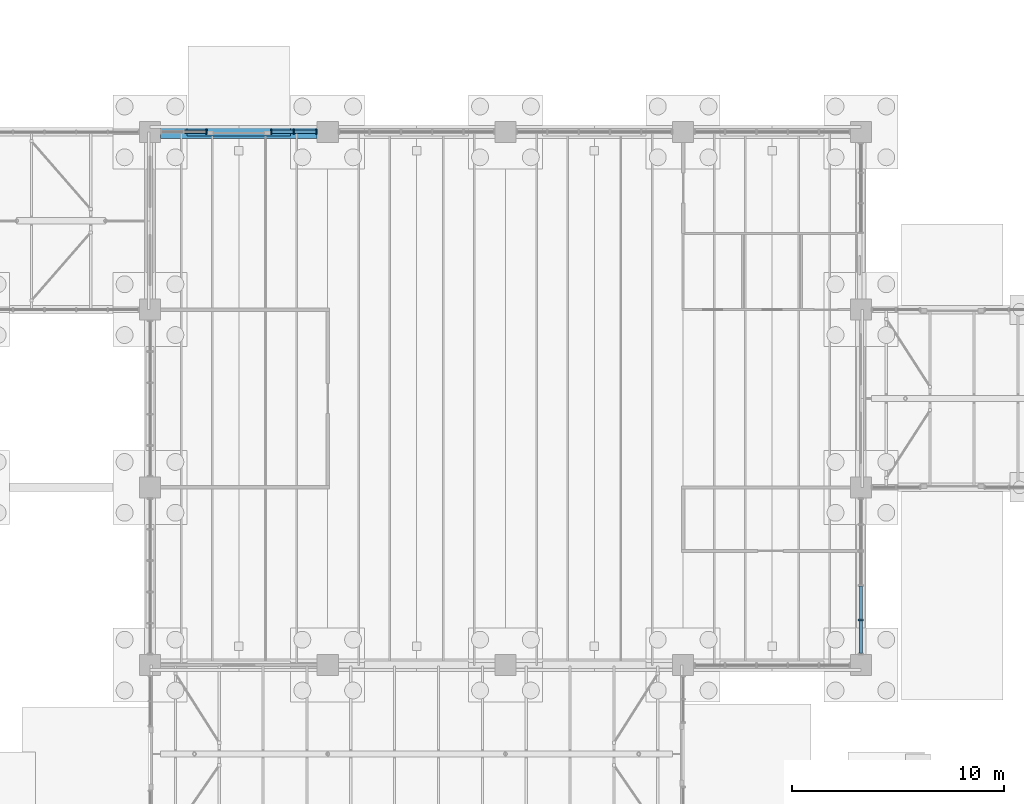
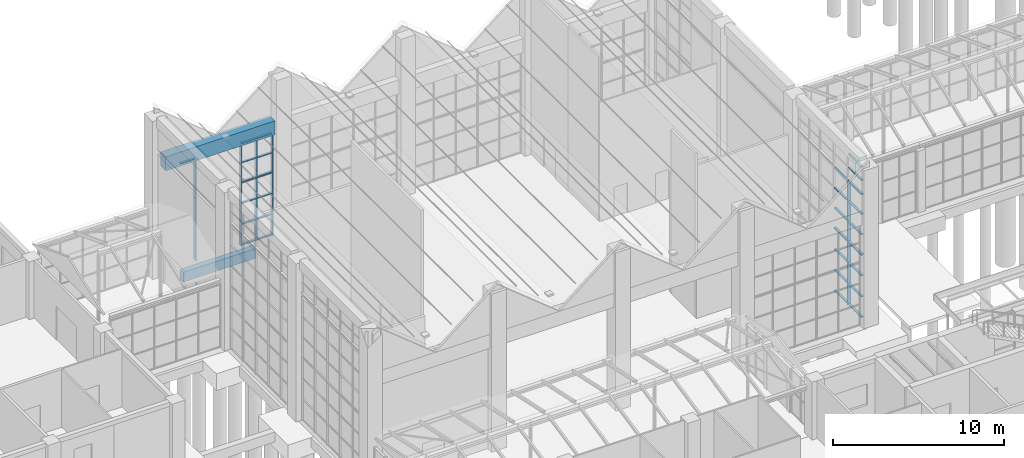
# One storey, part 53 of 138: 44 members, 2 beams, 7 elements without a shape of their own.
"""IFC4 building model written with IfcOpenShell, lengths in metres."""

from ifc_helpers import new_model, si_unit, direction, frame, origin, origin_2d, place, context, subcontext, project, spatial, rectangle, extrude, material, material_profile, profile_set, type_object, element, aggregate, save


model = new_model("IFC4")

# Units and contexts
model_context = context("Model", 3, precision=1e-05, world=origin(), true_north=direction((0.0, 1.0)))
body_context = subcontext(model_context, "Body", "Model", "MODEL_VIEW")
ifc_project = project(units=[si_unit("LENGTHUNIT", "METRE"), si_unit("AREAUNIT", "SQUARE_METRE"), si_unit("VOLUMEUNIT", "CUBIC_METRE"), si_unit("PLANEANGLEUNIT", "RADIAN"), si_unit("MASSUNIT", "GRAM", prefix="KILO")], contexts=[model_context])

# Site, building, storey
site_placement = place(None, origin())
site = spatial("IfcSite", under=ifc_project, at=site_placement, CompositionType="ELEMENT")
building_placement = place(site_placement, origin())
building = spatial("IfcBuilding", under=site, at=building_placement, Name="Yavir Park General Hospital", CompositionType="ELEMENT")
storey_placement = place(building_placement, origin())
storey = spatial("IfcBuildingStorey", under=building, at=storey_placement, Name="L00", CompositionType="ELEMENT", Elevation=0.0)

# Curtain wall, members
ifc_material_1 = material(Name="Aluminium curtain wall frame with insulated glazing", Category="aluminium")
curtain_wall_type_1 = type_object("IfcCurtainWallType", Name="Main hall glazing, clerestory band, 1970 high, 1400 module", PredefinedType="NOTDEFINED", material=ifc_material_1)
curtain_wall_1_placement = place(storey_placement, origin())
curtain_wall_1 = element("IfcCurtainWall", 1, at=curtain_wall_1_placement, inside=storey, type_object=curtain_wall_type_1, Name="CW35 L00-060", PredefinedType="NOTDEFINED")
ifc_material_2 = material(Name="Aluminium", Category="aluminium")
ifc_material_profile_1 = material_profile(ifc_material_2, rectangle(XDim=0.139892578125, YDim=0.050048828125, at=origin_2d()), Name="AL 140x50")
ifc_profile_set_1 = profile_set([ifc_material_profile_1], Name="Aluminium")
member_type_1 = type_object("IfcMemberType", Name="Main hall glazing, clerestory band, 1970 high transom 50 x 140", PredefinedType="MULLION", material=ifc_profile_set_1)
member_1_placement = place(storey_placement, frame((109.199951171875, 42.550048828125, 8.8701171875), z_axis=(0.0, 1.0, 0.0), x_axis=(-1.0, 0.0, 0.0)))
member_1 = element("IfcMember", 2, at=member_1_placement, type_object=member_type_1, Name="CW35 transom 1.1", PredefinedType="MULLION", context=body_context, shape_type="SweptSolid", body=[
    extrude(rectangle(XDim=0.139892578125, YDim=0.050048828125, at=origin_2d()), origin(), (0.0, 0.0, 1.0), 1.558349609375),
])
member_2_placement = place(storey_placement, frame((109.199951171875, 42.550048828125, 9.830078125), z_axis=(0.0, 1.0, 0.0), x_axis=(-1.0, 0.0, 0.0)))
member_2 = element("IfcMember", 3, at=member_2_placement, type_object=member_type_1, Name="CW35 transom 1.2", PredefinedType="MULLION", context=body_context, shape_type="SweptSolid", body=[
    extrude(rectangle(XDim=0.139892578125, YDim=0.050048828125, at=origin_2d()), origin(), (0.0, 0.0, 1.0), 1.558349609375),
])
member_3_placement = place(storey_placement, frame((109.199951171875, 42.550048828125, 10.7900390625), z_axis=(0.0, 1.0, 0.0), x_axis=(-1.0, 0.0, 0.0)))
member_3 = element("IfcMember", 4, at=member_3_placement, type_object=member_type_1, Name="CW35 transom 1.3", PredefinedType="MULLION", context=body_context, shape_type="SweptSolid", body=[
    extrude(rectangle(XDim=0.139892578125, YDim=0.050048828125, at=origin_2d()), origin(), (0.0, 0.0, 1.0), 1.558349609375),
])
aggregate(curtain_wall_1, [member_1, member_2, member_3])

# Curtain wall, member
ifc_material_3 = material(Name="Aluminium curtain wall frame with insulated glazing", Category="aluminium")
curtain_wall_type_2 = type_object("IfcCurtainWallType", Name="Main hall glazing, lower band, 4500 high, 1400 module", PredefinedType="NOTDEFINED", material=ifc_material_3)
curtain_wall_2_placement = place(storey_placement, origin())
curtain_wall_2 = element("IfcCurtainWall", 5, at=curtain_wall_2_placement, inside=storey, type_object=curtain_wall_type_2, Name="CW33 L00-023", PredefinedType="NOTDEFINED")
ifc_material_4 = material(Name="Aluminium", Category="aluminium")
ifc_material_profile_2 = material_profile(ifc_material_4, rectangle(XDim=0.239990234375, YDim=0.06005859375, at=origin_2d()), Name="AL 60x240")
ifc_profile_set_2 = profile_set([ifc_material_profile_2], Name="Aluminium")
member_type_2 = type_object("IfcMemberType", Name="Main hall glazing, lower band, 4500 high mullion 60 x 240", PredefinedType="MULLION", material=ifc_profile_set_2)
member_4_placement = place(storey_placement, frame((78.27001953125, 67.199951171875, 0.0), z_axis=(0.0, 0.0, 1.0), x_axis=(0.0, 1.0, 0.0)))
member_4 = element("IfcMember", 6, at=member_4_placement, type_object=member_type_2, Name="CW33 mullion 3", PredefinedType="MULLION", context=body_context, shape_type="SweptSolid", body=[
    extrude(rectangle(XDim=0.239990234375, YDim=0.06005859375, at=origin_2d()), origin(), (0.0, 0.0, 1.0), 4.5),
])
aggregate(curtain_wall_2, [member_4])

# Curtain wall, members
curtain_wall_3_placement = place(storey_placement, origin())
curtain_wall_3 = element("IfcCurtainWall", 7, at=curtain_wall_3_placement, inside=storey, type_object=curtain_wall_type_2, Name="CW33 L00-025", PredefinedType="NOTDEFINED")
member_5_placement = place(storey_placement, frame((81.330078125, 67.199951171875, 0.0), z_axis=(0.0, 0.0, 1.0), x_axis=(0.0, 1.0, 0.0)))
member_5 = element("IfcMember", 8, at=member_5_placement, type_object=member_type_2, Name="CW33 mullion 1", PredefinedType="MULLION", context=body_context, shape_type="SweptSolid", body=[
    extrude(rectangle(XDim=0.239990234375, YDim=0.06005859375, at=origin_2d()), origin(), (0.0, 0.0, 1.0), 4.5),
])
member_6_placement = place(storey_placement, frame((82.39990234375, 67.199951171875, 0.0), z_axis=(0.0, 0.0, 1.0), x_axis=(0.0, 1.0, 0.0)))
member_6 = element("IfcMember", 9, at=member_6_placement, type_object=member_type_2, Name="CW33 mullion 2", PredefinedType="MULLION", context=body_context, shape_type="SweptSolid", body=[
    extrude(rectangle(XDim=0.239990234375, YDim=0.06005859375, at=origin_2d()), origin(), (0.0, 0.0, 1.0), 4.5),
])
member_7_placement = place(storey_placement, frame((83.469970703125, 67.199951171875, 0.0), z_axis=(0.0, 0.0, 1.0), x_axis=(0.0, 1.0, 0.0)))
member_7 = element("IfcMember", 10, at=member_7_placement, type_object=member_type_2, Name="CW33 mullion 3", PredefinedType="MULLION", context=body_context, shape_type="SweptSolid", body=[
    extrude(rectangle(XDim=0.239990234375, YDim=0.06005859375, at=origin_2d()), origin(), (0.0, 0.0, 1.0), 4.5),
])

# Curtain wall, member
curtain_wall_4_placement = place(storey_placement, origin())
curtain_wall_4 = element("IfcCurtainWall", 11, at=curtain_wall_4_placement, inside=storey, type_object=curtain_wall_type_2, Name="CW33 L00-058", PredefinedType="NOTDEFINED")
member_8_placement = place(storey_placement, frame((109.199951171875, 44.13330078125, 0.0), z_axis=(0.0, 0.0, 1.0), x_axis=(-1.0, 0.0, 0.0)))
member_8 = element("IfcMember", 12, at=member_8_placement, type_object=member_type_2, Name="CW33 mullion 2", PredefinedType="MULLION", context=body_context, shape_type="SweptSolid", body=[
    extrude(rectangle(XDim=0.239990234375, YDim=0.06005859375, at=origin_2d()), origin(), (0.0, 0.0, 1.0), 4.5),
])

# Member
ifc_material_5 = material(Name="Aluminium", Category="aluminium")
ifc_material_profile_3 = material_profile(ifc_material_5, rectangle(XDim=0.159912109375, YDim=0.06005859375, at=origin_2d()), Name="AL 160x60")
ifc_profile_set_3 = profile_set([ifc_material_profile_3], Name="Aluminium")
member_type_3 = type_object("IfcMemberType", Name="Main hall glazing, lower band, 4500 high transom 60 x 160", PredefinedType="MULLION", material=ifc_profile_set_3)
member_9_placement = place(storey_placement, frame((81.360107421875, 67.199951171875, 0.030029296875), z_axis=(1.0, 0.0, 0.0), x_axis=(0.0, 1.0, 0.0)))
member_9 = element("IfcMember", 13, at=member_9_placement, type_object=member_type_3, Name="CW33 transom 1.1", PredefinedType="MULLION", context=body_context, shape_type="SweptSolid", body=[
    extrude(rectangle(XDim=0.159912109375, YDim=0.06005859375, at=origin_2d()), origin(), (0.0, 0.0, 1.0), 1.010009765625),
])

member_10_placement = place(storey_placement, frame((81.360107421875, 67.199951171875, 1.5), z_axis=(1.0, 0.0, 0.0), x_axis=(0.0, 1.0, 0.0)))
member_10 = element("IfcMember", 14, at=member_10_placement, type_object=member_type_3, Name="CW33 transom 1.2", PredefinedType="MULLION", context=body_context, shape_type="SweptSolid", body=[
    extrude(rectangle(XDim=0.159912109375, YDim=0.06005859375, at=origin_2d()), origin(), (0.0, 0.0, 1.0), 1.010009765625),
])

member_11_placement = place(storey_placement, frame((81.360107421875, 67.199951171875, 3.0), z_axis=(1.0, 0.0, 0.0), x_axis=(0.0, 1.0, 0.0)))
member_11 = element("IfcMember", 15, at=member_11_placement, type_object=member_type_3, Name="CW33 transom 1.3", PredefinedType="MULLION", context=body_context, shape_type="SweptSolid", body=[
    extrude(rectangle(XDim=0.159912109375, YDim=0.06005859375, at=origin_2d()), origin(), (0.0, 0.0, 1.0), 1.010009765625),
])

member_12_placement = place(storey_placement, frame((81.360107421875, 67.199951171875, 4.469970703125), z_axis=(1.0, 0.0, 0.0), x_axis=(0.0, 1.0, 0.0)))
member_12 = element("IfcMember", 16, at=member_12_placement, type_object=member_type_3, Name="CW33 transom 1.4", PredefinedType="MULLION", context=body_context, shape_type="SweptSolid", body=[
    extrude(rectangle(XDim=0.159912109375, YDim=0.06005859375, at=origin_2d()), origin(), (0.0, 0.0, 1.0), 1.010009765625),
])

member_13_placement = place(storey_placement, frame((82.429931640625, 67.199951171875, 0.030029296875), z_axis=(1.0, 0.0, 0.0), x_axis=(0.0, 1.0, 0.0)))
member_13 = element("IfcMember", 17, at=member_13_placement, type_object=member_type_3, Name="CW33 transom 2.1", PredefinedType="MULLION", context=body_context, shape_type="SweptSolid", body=[
    extrude(rectangle(XDim=0.159912109375, YDim=0.06005859375, at=origin_2d()), origin(), (0.0, 0.0, 1.0), 1.010009765625),
])

member_14_placement = place(storey_placement, frame((82.429931640625, 67.199951171875, 1.5), z_axis=(1.0, 0.0, 0.0), x_axis=(0.0, 1.0, 0.0)))
member_14 = element("IfcMember", 18, at=member_14_placement, type_object=member_type_3, Name="CW33 transom 2.2", PredefinedType="MULLION", context=body_context, shape_type="SweptSolid", body=[
    extrude(rectangle(XDim=0.159912109375, YDim=0.06005859375, at=origin_2d()), origin(), (0.0, 0.0, 1.0), 1.010009765625),
])

member_15_placement = place(storey_placement, frame((82.429931640625, 67.199951171875, 3.0), z_axis=(1.0, 0.0, 0.0), x_axis=(0.0, 1.0, 0.0)))
member_15 = element("IfcMember", 19, at=member_15_placement, type_object=member_type_3, Name="CW33 transom 2.3", PredefinedType="MULLION", context=body_context, shape_type="SweptSolid", body=[
    extrude(rectangle(XDim=0.159912109375, YDim=0.06005859375, at=origin_2d()), origin(), (0.0, 0.0, 1.0), 1.010009765625),
])

member_16_placement = place(storey_placement, frame((82.429931640625, 67.199951171875, 4.469970703125), z_axis=(1.0, 0.0, 0.0), x_axis=(0.0, 1.0, 0.0)))
member_16 = element("IfcMember", 20, at=member_16_placement, type_object=member_type_3, Name="CW33 transom 2.4", PredefinedType="MULLION", context=body_context, shape_type="SweptSolid", body=[
    extrude(rectangle(XDim=0.159912109375, YDim=0.06005859375, at=origin_2d()), origin(), (0.0, 0.0, 1.0), 1.010009765625),
])

aggregate(curtain_wall_3, [member_5, member_6, member_7, member_9, member_10, member_11, member_12, member_13, member_14, member_15, member_16])

member_17_placement = place(storey_placement, frame((109.199951171875, 42.56005859375, 0.030029296875), z_axis=(0.0, 1.0, 0.0), x_axis=(-1.0, 0.0, 0.0)))
member_17 = element("IfcMember", 21, at=member_17_placement, type_object=member_type_3, Name="CW33 transom 1.1", PredefinedType="MULLION", context=body_context, shape_type="SweptSolid", body=[
    extrude(rectangle(XDim=0.159912109375, YDim=0.06005859375, at=origin_2d()), origin(), (0.0, 0.0, 1.0), 1.543212890625),
])

member_18_placement = place(storey_placement, frame((109.199951171875, 42.56005859375, 1.5), z_axis=(0.0, 1.0, 0.0), x_axis=(-1.0, 0.0, 0.0)))
member_18 = element("IfcMember", 22, at=member_18_placement, type_object=member_type_3, Name="CW33 transom 1.2", PredefinedType="MULLION", context=body_context, shape_type="SweptSolid", body=[
    extrude(rectangle(XDim=0.159912109375, YDim=0.06005859375, at=origin_2d()), origin(), (0.0, 0.0, 1.0), 1.543212890625),
])

member_19_placement = place(storey_placement, frame((109.199951171875, 42.56005859375, 3.0), z_axis=(0.0, 1.0, 0.0), x_axis=(-1.0, 0.0, 0.0)))
member_19 = element("IfcMember", 23, at=member_19_placement, type_object=member_type_3, Name="CW33 transom 1.3", PredefinedType="MULLION", context=body_context, shape_type="SweptSolid", body=[
    extrude(rectangle(XDim=0.159912109375, YDim=0.06005859375, at=origin_2d()), origin(), (0.0, 0.0, 1.0), 1.543212890625),
])

member_20_placement = place(storey_placement, frame((109.199951171875, 42.56005859375, 4.469970703125), z_axis=(0.0, 1.0, 0.0), x_axis=(-1.0, 0.0, 0.0)))
member_20 = element("IfcMember", 24, at=member_20_placement, type_object=member_type_3, Name="CW33 transom 1.4", PredefinedType="MULLION", context=body_context, shape_type="SweptSolid", body=[
    extrude(rectangle(XDim=0.159912109375, YDim=0.06005859375, at=origin_2d()), origin(), (0.0, 0.0, 1.0), 1.543212890625),
])

member_21_placement = place(storey_placement, frame((109.199951171875, 44.163330078125, 0.030029296875), z_axis=(0.0, 1.0, 0.0), x_axis=(-1.0, 0.0, 0.0)))
member_21 = element("IfcMember", 25, at=member_21_placement, type_object=member_type_3, Name="CW33 transom 2.1", PredefinedType="MULLION", context=body_context, shape_type="SweptSolid", body=[
    extrude(rectangle(XDim=0.159912109375, YDim=0.06005859375, at=origin_2d()), origin(), (0.0, 0.0, 1.0), 1.5732421875),
])

member_22_placement = place(storey_placement, frame((109.199951171875, 44.163330078125, 1.5), z_axis=(0.0, 1.0, 0.0), x_axis=(-1.0, 0.0, 0.0)))
member_22 = element("IfcMember", 26, at=member_22_placement, type_object=member_type_3, Name="CW33 transom 2.2", PredefinedType="MULLION", context=body_context, shape_type="SweptSolid", body=[
    extrude(rectangle(XDim=0.159912109375, YDim=0.06005859375, at=origin_2d()), origin(), (0.0, 0.0, 1.0), 1.5732421875),
])

member_23_placement = place(storey_placement, frame((109.199951171875, 44.163330078125, 3.0), z_axis=(0.0, 1.0, 0.0), x_axis=(-1.0, 0.0, 0.0)))
member_23 = element("IfcMember", 27, at=member_23_placement, type_object=member_type_3, Name="CW33 transom 2.3", PredefinedType="MULLION", context=body_context, shape_type="SweptSolid", body=[
    extrude(rectangle(XDim=0.159912109375, YDim=0.06005859375, at=origin_2d()), origin(), (0.0, 0.0, 1.0), 1.5732421875),
])

member_24_placement = place(storey_placement, frame((109.199951171875, 44.163330078125, 4.469970703125), z_axis=(0.0, 1.0, 0.0), x_axis=(-1.0, 0.0, 0.0)))
member_24 = element("IfcMember", 28, at=member_24_placement, type_object=member_type_3, Name="CW33 transom 2.4", PredefinedType="MULLION", context=body_context, shape_type="SweptSolid", body=[
    extrude(rectangle(XDim=0.159912109375, YDim=0.06005859375, at=origin_2d()), origin(), (0.0, 0.0, 1.0), 1.5732421875),
])

aggregate(curtain_wall_4, [member_8, member_17, member_18, member_19, member_20, member_21, member_22, member_23, member_24])

# Curtain wall, member
ifc_material_6 = material(Name="Aluminium curtain wall frame with insulated glazing", Category="aluminium")
curtain_wall_type_3 = type_object("IfcCurtainWallType", Name="Main hall glazing, upper band, 2817 high, 1400 module", PredefinedType="NOTDEFINED", material=ifc_material_6)
curtain_wall_5_placement = place(storey_placement, origin())
curtain_wall_5 = element("IfcCurtainWall", 29, at=curtain_wall_5_placement, inside=storey, type_object=curtain_wall_type_3, Name="CW34 L00-024", PredefinedType="NOTDEFINED")
ifc_material_7 = material(Name="Aluminium", Category="aluminium")
ifc_material_profile_4 = material_profile(ifc_material_7, rectangle(XDim=0.239990234375, YDim=0.06005859375, at=origin_2d()), Name="AL 60x240")
ifc_profile_set_4 = profile_set([ifc_material_profile_4], Name="Aluminium")
member_type_4 = type_object("IfcMemberType", Name="Main hall glazing, upper band, 2817 high mullion 60 x 240", PredefinedType="MULLION", material=ifc_profile_set_4)
member_25_placement = place(storey_placement, frame((78.27001953125, 67.199951171875, 4.5), z_axis=(0.0, 0.0, 1.0), x_axis=(0.0, 1.0, 0.0)))
member_25 = element("IfcMember", 30, at=member_25_placement, type_object=member_type_4, Name="CW34 mullion 3", PredefinedType="MULLION", context=body_context, shape_type="SweptSolid", body=[
    extrude(rectangle(XDim=0.239990234375, YDim=0.06005859375, at=origin_2d()), origin(), (0.0, 0.0, 1.0), 2.81689453125),
])

# Curtain wall, members
curtain_wall_6_placement = place(storey_placement, origin())
curtain_wall_6 = element("IfcCurtainWall", 31, at=curtain_wall_6_placement, inside=storey, type_object=curtain_wall_type_3, Name="CW34 L00-026", PredefinedType="NOTDEFINED")
member_26_placement = place(storey_placement, frame((81.330078125, 67.199951171875, 4.5), z_axis=(0.0, 0.0, 1.0), x_axis=(0.0, 1.0, 0.0)))
member_26 = element("IfcMember", 32, at=member_26_placement, type_object=member_type_4, Name="CW34 mullion 1", PredefinedType="MULLION", context=body_context, shape_type="SweptSolid", body=[
    extrude(rectangle(XDim=0.239990234375, YDim=0.06005859375, at=origin_2d()), origin(), (0.0, 0.0, 1.0), 2.81689453125),
])
member_27_placement = place(storey_placement, frame((82.39990234375, 67.199951171875, 4.5), z_axis=(0.0, 0.0, 1.0), x_axis=(0.0, 1.0, 0.0)))
member_27 = element("IfcMember", 33, at=member_27_placement, type_object=member_type_4, Name="CW34 mullion 2", PredefinedType="MULLION", context=body_context, shape_type="SweptSolid", body=[
    extrude(rectangle(XDim=0.239990234375, YDim=0.06005859375, at=origin_2d()), origin(), (0.0, 0.0, 1.0), 2.81689453125),
])
member_28_placement = place(storey_placement, frame((83.469970703125, 67.199951171875, 4.5), z_axis=(0.0, 0.0, 1.0), x_axis=(0.0, 1.0, 0.0)))
member_28 = element("IfcMember", 34, at=member_28_placement, type_object=member_type_4, Name="CW34 mullion 3", PredefinedType="MULLION", context=body_context, shape_type="SweptSolid", body=[
    extrude(rectangle(XDim=0.239990234375, YDim=0.06005859375, at=origin_2d()), origin(), (0.0, 0.0, 1.0), 2.81689453125),
])

# Member
ifc_material_8 = material(Name="Aluminium", Category="aluminium")
ifc_material_profile_5 = material_profile(ifc_material_8, rectangle(XDim=0.159912109375, YDim=0.06005859375, at=origin_2d()), Name="AL 160x60")
ifc_profile_set_5 = profile_set([ifc_material_profile_5], Name="Aluminium")
member_type_5 = type_object("IfcMemberType", Name="Main hall glazing, upper band, 2817 high transom 60 x 160", PredefinedType="MULLION", material=ifc_profile_set_5)
member_29_placement = place(storey_placement, frame((77.22998046875, 67.199951171875, 7.287109375), z_axis=(1.0, 0.0, 0.0), x_axis=(0.0, 1.0, 0.0)))
member_29 = element("IfcMember", 35, at=member_29_placement, type_object=member_type_5, Name="CW34 transom 2.3", PredefinedType="MULLION", context=body_context, shape_type="SweptSolid", body=[
    extrude(rectangle(XDim=0.159912109375, YDim=0.06005859375, at=origin_2d()), origin(), (0.0, 0.0, 1.0), 1.010009765625),
])

aggregate(curtain_wall_5, [member_25, member_29])

member_30_placement = place(storey_placement, frame((81.360107421875, 67.199951171875, 4.530029296875), z_axis=(1.0, 0.0, 0.0), x_axis=(0.0, 1.0, 0.0)))
member_30 = element("IfcMember", 36, at=member_30_placement, type_object=member_type_5, Name="CW34 transom 1.1", PredefinedType="MULLION", context=body_context, shape_type="SweptSolid", body=[
    extrude(rectangle(XDim=0.159912109375, YDim=0.06005859375, at=origin_2d()), origin(), (0.0, 0.0, 1.0), 1.010009765625),
])

member_31_placement = place(storey_placement, frame((81.360107421875, 67.199951171875, 5.908447265625), z_axis=(1.0, 0.0, 0.0), x_axis=(0.0, 1.0, 0.0)))
member_31 = element("IfcMember", 37, at=member_31_placement, type_object=member_type_5, Name="CW34 transom 1.2", PredefinedType="MULLION", context=body_context, shape_type="SweptSolid", body=[
    extrude(rectangle(XDim=0.159912109375, YDim=0.06005859375, at=origin_2d()), origin(), (0.0, 0.0, 1.0), 1.010009765625),
])

member_32_placement = place(storey_placement, frame((81.360107421875, 67.199951171875, 7.287109375), z_axis=(1.0, 0.0, 0.0), x_axis=(0.0, 1.0, 0.0)))
member_32 = element("IfcMember", 38, at=member_32_placement, type_object=member_type_5, Name="CW34 transom 1.3", PredefinedType="MULLION", context=body_context, shape_type="SweptSolid", body=[
    extrude(rectangle(XDim=0.159912109375, YDim=0.06005859375, at=origin_2d()), origin(), (0.0, 0.0, 1.0), 1.010009765625),
])

member_33_placement = place(storey_placement, frame((82.429931640625, 67.199951171875, 4.530029296875), z_axis=(1.0, 0.0, 0.0), x_axis=(0.0, 1.0, 0.0)))
member_33 = element("IfcMember", 39, at=member_33_placement, type_object=member_type_5, Name="CW34 transom 2.1", PredefinedType="MULLION", context=body_context, shape_type="SweptSolid", body=[
    extrude(rectangle(XDim=0.159912109375, YDim=0.06005859375, at=origin_2d()), origin(), (0.0, 0.0, 1.0), 1.010009765625),
])

member_34_placement = place(storey_placement, frame((82.429931640625, 67.199951171875, 5.908447265625), z_axis=(1.0, 0.0, 0.0), x_axis=(0.0, 1.0, 0.0)))
member_34 = element("IfcMember", 40, at=member_34_placement, type_object=member_type_5, Name="CW34 transom 2.2", PredefinedType="MULLION", context=body_context, shape_type="SweptSolid", body=[
    extrude(rectangle(XDim=0.159912109375, YDim=0.06005859375, at=origin_2d()), origin(), (0.0, 0.0, 1.0), 1.010009765625),
])

member_35_placement = place(storey_placement, frame((82.429931640625, 67.199951171875, 7.287109375), z_axis=(1.0, 0.0, 0.0), x_axis=(0.0, 1.0, 0.0)))
member_35 = element("IfcMember", 41, at=member_35_placement, type_object=member_type_5, Name="CW34 transom 2.3", PredefinedType="MULLION", context=body_context, shape_type="SweptSolid", body=[
    extrude(rectangle(XDim=0.159912109375, YDim=0.06005859375, at=origin_2d()), origin(), (0.0, 0.0, 1.0), 1.010009765625),
])

aggregate(curtain_wall_6, [member_26, member_27, member_28, member_30, member_31, member_32, member_33, member_34, member_35])

# Curtain wall, members
ifc_material_9 = material(Name="Aluminium curtain wall frame with insulated glazing", Category="aluminium")
curtain_wall_type_4 = type_object("IfcCurtainWallType", Name="Main hall glazing, upper band, 4345 high, 1400 module", PredefinedType="NOTDEFINED", material=ifc_material_9)
curtain_wall_7_placement = place(storey_placement, origin())
curtain_wall_7 = element("IfcCurtainWall", 42, at=curtain_wall_7_placement, inside=storey, type_object=curtain_wall_type_4, Name="CW52 L00-059", PredefinedType="NOTDEFINED")
ifc_material_10 = material(Name="Aluminium", Category="aluminium")
ifc_material_profile_6 = material_profile(ifc_material_10, rectangle(XDim=0.239990234375, YDim=0.06005859375, at=origin_2d()), Name="AL 60x240")
ifc_profile_set_6 = profile_set([ifc_material_profile_6], Name="Aluminium")
member_type_6 = type_object("IfcMemberType", Name="Main hall glazing, upper band, 4345 high mullion 60 x 240", PredefinedType="MULLION", material=ifc_profile_set_6)
member_36_placement = place(storey_placement, frame((109.199951171875, 44.13330078125, 4.5), z_axis=(0.0, 0.0, 1.0), x_axis=(-1.0, 0.0, 0.0)))
member_36 = element("IfcMember", 43, at=member_36_placement, type_object=member_type_6, Name="CW52 mullion 2", PredefinedType="MULLION", context=body_context, shape_type="SweptSolid", body=[
    extrude(rectangle(XDim=0.239990234375, YDim=0.06005859375, at=origin_2d()), origin(), (0.0, 0.0, 1.0), 4.344970703125),
])
ifc_material_11 = material(Name="Aluminium", Category="aluminium")
ifc_material_profile_7 = material_profile(ifc_material_11, rectangle(XDim=0.159912109375, YDim=0.06005859375, at=origin_2d()), Name="AL 160x60")
ifc_profile_set_7 = profile_set([ifc_material_profile_7], Name="Aluminium")
member_type_7 = type_object("IfcMemberType", Name="Main hall glazing, upper band, 4345 high transom 60 x 160", PredefinedType="MULLION", material=ifc_profile_set_7)
member_37_placement = place(storey_placement, frame((109.199951171875, 42.56005859375, 4.530029296875), z_axis=(0.0, 1.0, 0.0), x_axis=(-1.0, 0.0, 0.0)))
member_37 = element("IfcMember", 44, at=member_37_placement, type_object=member_type_7, Name="CW52 transom 1.1", PredefinedType="MULLION", context=body_context, shape_type="SweptSolid", body=[
    extrude(rectangle(XDim=0.159912109375, YDim=0.06005859375, at=origin_2d()), origin(), (0.0, 0.0, 1.0), 1.543212890625),
])
member_38_placement = place(storey_placement, frame((109.199951171875, 42.56005859375, 5.9482421875), z_axis=(0.0, 1.0, 0.0), x_axis=(-1.0, 0.0, 0.0)))
member_38 = element("IfcMember", 45, at=member_38_placement, type_object=member_type_7, Name="CW52 transom 1.2", PredefinedType="MULLION", context=body_context, shape_type="SweptSolid", body=[
    extrude(rectangle(XDim=0.159912109375, YDim=0.06005859375, at=origin_2d()), origin(), (0.0, 0.0, 1.0), 1.543212890625),
])
member_39_placement = place(storey_placement, frame((109.199951171875, 42.56005859375, 7.396728515625), z_axis=(0.0, 1.0, 0.0), x_axis=(-1.0, 0.0, 0.0)))
member_39 = element("IfcMember", 46, at=member_39_placement, type_object=member_type_7, Name="CW52 transom 1.3", PredefinedType="MULLION", context=body_context, shape_type="SweptSolid", body=[
    extrude(rectangle(XDim=0.159912109375, YDim=0.06005859375, at=origin_2d()), origin(), (0.0, 0.0, 1.0), 1.543212890625),
])
member_40_placement = place(storey_placement, frame((109.199951171875, 42.56005859375, 8.81494140625), z_axis=(0.0, 1.0, 0.0), x_axis=(-1.0, 0.0, 0.0)))
member_40 = element("IfcMember", 47, at=member_40_placement, type_object=member_type_7, Name="CW52 transom 1.4", PredefinedType="MULLION", context=body_context, shape_type="SweptSolid", body=[
    extrude(rectangle(XDim=0.159912109375, YDim=0.06005859375, at=origin_2d()), origin(), (0.0, 0.0, 1.0), 1.543212890625),
])
member_41_placement = place(storey_placement, frame((109.199951171875, 44.163330078125, 4.530029296875), z_axis=(0.0, 1.0, 0.0), x_axis=(-1.0, 0.0, 0.0)))
member_41 = element("IfcMember", 48, at=member_41_placement, type_object=member_type_7, Name="CW52 transom 2.1", PredefinedType="MULLION", context=body_context, shape_type="SweptSolid", body=[
    extrude(rectangle(XDim=0.159912109375, YDim=0.06005859375, at=origin_2d()), origin(), (0.0, 0.0, 1.0), 1.5732421875),
])
member_42_placement = place(storey_placement, frame((109.199951171875, 44.163330078125, 5.9482421875), z_axis=(0.0, 1.0, 0.0), x_axis=(-1.0, 0.0, 0.0)))
member_42 = element("IfcMember", 49, at=member_42_placement, type_object=member_type_7, Name="CW52 transom 2.2", PredefinedType="MULLION", context=body_context, shape_type="SweptSolid", body=[
    extrude(rectangle(XDim=0.159912109375, YDim=0.06005859375, at=origin_2d()), origin(), (0.0, 0.0, 1.0), 1.5732421875),
])
member_43_placement = place(storey_placement, frame((109.199951171875, 44.163330078125, 7.396728515625), z_axis=(0.0, 1.0, 0.0), x_axis=(-1.0, 0.0, 0.0)))
member_43 = element("IfcMember", 50, at=member_43_placement, type_object=member_type_7, Name="CW52 transom 2.3", PredefinedType="MULLION", context=body_context, shape_type="SweptSolid", body=[
    extrude(rectangle(XDim=0.159912109375, YDim=0.06005859375, at=origin_2d()), origin(), (0.0, 0.0, 1.0), 1.5732421875),
])
member_44_placement = place(storey_placement, frame((109.199951171875, 44.163330078125, 8.81494140625), z_axis=(0.0, 1.0, 0.0), x_axis=(-1.0, 0.0, 0.0)))
member_44 = element("IfcMember", 51, at=member_44_placement, type_object=member_type_7, Name="CW52 transom 2.4", PredefinedType="MULLION", context=body_context, shape_type="SweptSolid", body=[
    extrude(rectangle(XDim=0.159912109375, YDim=0.06005859375, at=origin_2d()), origin(), (0.0, 0.0, 1.0), 1.5732421875),
])
aggregate(curtain_wall_7, [member_36, member_37, member_38, member_39, member_40, member_41, member_42, member_43, member_44])

# Beams
ifc_material_12 = material(Name="Concrete C35/45", Category="concrete")
ifc_material_profile_8 = material_profile(ifc_material_12, rectangle(XDim=0.39990234375, YDim=0.699951171875, at=origin_2d()), Name="RC400x700")
ifc_profile_set_8 = profile_set([ifc_material_profile_8], Name="Concrete C35/45")
beam_type_1 = type_object("IfcBeamType", Name="RC BEAM 400x700 ground beam", PredefinedType="BEAM", material=ifc_profile_set_8)
beam_1_placement = place(storey_placement, frame((77.35009765625, 67.199951171875, -0.800048828125), z_axis=(1.0, 0.0, 0.0), x_axis=(0.0, 1.0, 0.0)))
element("IfcBeam", 52, at=beam_1_placement, inside=storey, type_object=beam_type_1, Name="B:GND:L00:10J:L00:11J", PredefinedType="BEAM", context=body_context, shape_type="SweptSolid", body=[
    extrude(rectangle(XDim=0.39990234375, YDim=0.699951171875, at=origin_2d()), origin(), (0.0, 0.0, 1.0), 4.89990234375),
])
ifc_material_13 = material(Name="Concrete C35/45", Category="concrete")
ifc_material_profile_9 = material_profile(ifc_material_13, rectangle(XDim=0.60009765625, YDim=1.0, at=origin_2d()), Name="RC600x1000")
ifc_profile_set_9 = profile_set([ifc_material_profile_9], Name="Concrete C35/45")
beam_type_2 = type_object("IfcBeamType", Name="RC BEAM 600x1000 hall end girder", PredefinedType="BEAM", material=ifc_profile_set_9)
beam_2_placement = place(storey_placement, frame((76.10009765625, 67.199951171875, 7.81689453125), z_axis=(1.0, 0.0, 0.0), x_axis=(0.0, 1.0, 0.0)))
element("IfcBeam", 53, at=beam_2_placement, inside=storey, type_object=beam_type_2, Name="B:HALL:END:N0", PredefinedType="BEAM", context=body_context, shape_type="SweptSolid", body=[
    extrude(rectangle(XDim=0.60009765625, YDim=1.0, at=origin_2d()), origin(), (0.0, 0.0, 1.0), 7.39990234375),
])

save(model, "model.ifc")
